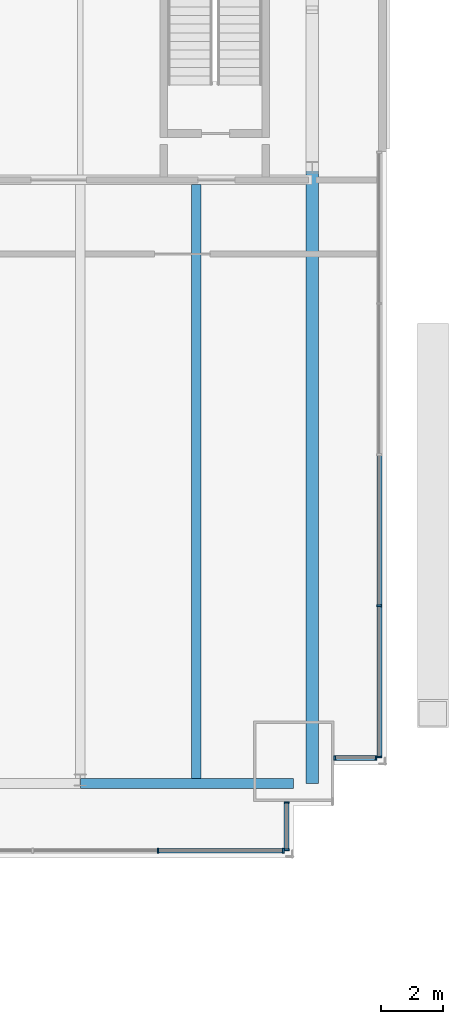
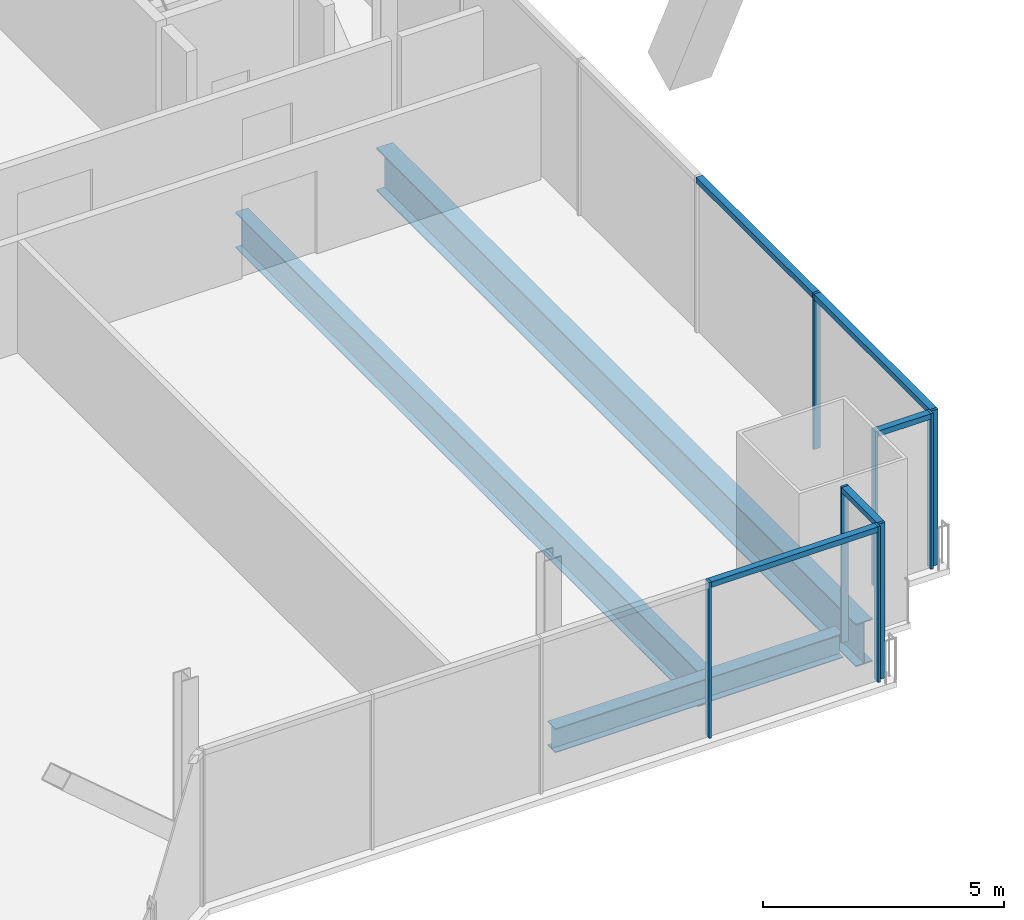
# One storey, part 14 of 24: 13 members, 3 beams, 4 elements without a shape of their own.
"""IFC4 building model written with IfcOpenShell, lengths in metres."""

from ifc_helpers import new_model, si_unit, direction, frame, origin, origin_2d, place, context, subcontext, project, spatial, rectangle, i_section, extrude, material, material_profile, profile_set, type_object, element, aggregate, save


model = new_model("IFC4")

# Units and contexts
model_context = context("Model", 3, precision=1e-05, world=origin(), true_north=direction((0.0, 1.0)))
body_context = subcontext(model_context, "Body", "Model", "MODEL_VIEW")
ifc_project = project(units=[si_unit("LENGTHUNIT", "METRE"), si_unit("AREAUNIT", "SQUARE_METRE"), si_unit("VOLUMEUNIT", "CUBIC_METRE"), si_unit("PLANEANGLEUNIT", "RADIAN"), si_unit("MASSUNIT", "GRAM", prefix="KILO")], contexts=[model_context])

# Site, building, storey
site_placement = place(None, origin())
site = spatial("IfcSite", under=ifc_project, at=site_placement, CompositionType="ELEMENT")
building_placement = place(site_placement, origin())
building = spatial("IfcBuilding", under=site, at=building_placement, Name="Bicima Exchange Tower", CompositionType="ELEMENT")
storey_placement = place(building_placement, frame((0.0, 0.0, 160.89990234375)))
storey = spatial("IfcBuildingStorey", under=building, at=storey_placement, Name="L35", CompositionType="ELEMENT", Elevation=160.89990234375)

# Curtain wall, members
ifc_material_1 = material(Name="Anodised bronze aluminium", Category="aluminium")
curtain_wall_type_1 = type_object("IfcCurtainWallType", Name="End face glass wall", PredefinedType="NOTDEFINED", material=ifc_material_1)
curtain_wall_1_placement = place(storey_placement, origin())
curtain_wall_1 = element("IfcCurtainWall", 1, at=curtain_wall_1_placement, inside=storey, type_object=curtain_wall_type_1, Name="End face glass wall L35 run 19", PredefinedType="NOTDEFINED")
ifc_material_profile_1 = material_profile(ifc_material_1, rectangle(XDim=0.159912109375, YDim=0.06005859375, at=origin_2d()))
ifc_profile_set_1 = profile_set([ifc_material_profile_1], Name="Anodised bronze aluminium")
member_type_1 = type_object("IfcMemberType", Name="End face glass wall mullion 60 x 160", PredefinedType="MULLION", material=ifc_profile_set_1)
member_1_placement = place(storey_placement, frame((35.77001953125, -31.6640625, 0.0), z_axis=(0.0, 0.0, 1.0), x_axis=(-1.0, 0.0, 0.0)))
member_1 = element("IfcMember", 2, at=member_1_placement, type_object=member_type_1, Name="End face glass wall mullion 1", PredefinedType="MULLION", context=body_context, shape_type="SweptSolid", body=[
    extrude(rectangle(XDim=0.159912109375, YDim=0.06005859375, at=origin_2d()), origin(), (0.0, 0.0, 1.0), 3.9501953125),
])
member_2_placement = place(storey_placement, frame((35.77001953125, -26.775390625, 0.0), z_axis=(0.0, 0.0, 1.0), x_axis=(-1.0, 0.0, 0.0)))
member_2 = element("IfcMember", 3, at=member_2_placement, type_object=member_type_1, Name="End face glass wall mullion 2", PredefinedType="MULLION", context=body_context, shape_type="SweptSolid", body=[
    extrude(rectangle(XDim=0.159912109375, YDim=0.06005859375, at=origin_2d()), origin(), (0.0, 0.0, 1.0), 3.9501953125),
])
ifc_material_profile_2 = material_profile(ifc_material_1, rectangle(XDim=0.159912109375, YDim=0.139892578125, at=origin_2d()))
ifc_profile_set_2 = profile_set([ifc_material_profile_2], Name="Anodised bronze aluminium")
member_type_2 = type_object("IfcMemberType", Name="End face glass wall transom 140 x 160", PredefinedType="USERDEFINED", material=ifc_profile_set_2)
member_3_placement = place(storey_placement, frame((35.77001953125, -31.634033203125, 3.880126953125), z_axis=(0.0, 1.0, 0.0), x_axis=(-1.0, 0.0, 0.0)))
member_3 = element("IfcMember", 4, at=member_3_placement, type_object=member_type_2, Name="End face glass wall transom 1.1", ObjectType="TRANSOM", PredefinedType="USERDEFINED", context=body_context, shape_type="SweptSolid", body=[
    extrude(rectangle(XDim=0.159912109375, YDim=0.139892578125, at=origin_2d()), origin(), (0.0, 0.0, 1.0), 4.82861328125),
])
member_4_placement = place(storey_placement, frame((35.77001953125, -26.74560546875, 3.880126953125), z_axis=(0.0, 1.0, 0.0), x_axis=(-1.0, 0.0, 0.0)))
member_4 = element("IfcMember", 5, at=member_4_placement, type_object=member_type_2, Name="End face glass wall transom 2.1", ObjectType="TRANSOM", PredefinedType="USERDEFINED", context=body_context, shape_type="SweptSolid", body=[
    extrude(rectangle(XDim=0.159912109375, YDim=0.139892578125, at=origin_2d()), origin(), (0.0, 0.0, 1.0), 4.82861328125),
])
aggregate(curtain_wall_1, [member_1, member_2, member_3, member_4])

# Beams
ifc_material_2 = material(Name="Steel ASTM A992 Gr 50", Category="steel")
ifc_material_profile_3 = material_profile(ifc_material_2, i_section(OverallWidth=0.4013671875, OverallDepth=1.089599609375, WebThickness=0.01806640625, FlangeThickness=0.031005859375, at=origin_2d()))
ifc_profile_set_3 = profile_set([ifc_material_profile_3], Name="Steel ASTM A992 Gr 50")
beam_type_1 = type_object("IfcBeamType", Name="End girder W44x230", PredefinedType="BEAM", material=ifc_profile_set_3)
beam_1_placement = place(storey_placement, frame((33.60009765625, -12.60009765625, -0.69482421875), z_axis=(0.0, -1.0, 0.0), x_axis=(1.0, 0.0, 0.0)))
element("IfcBeam", 6, at=beam_1_placement, inside=storey, type_object=beam_type_1, Name="End girder", PredefinedType="BEAM", context=body_context, shape_type="SweptSolid", body=[
    extrude(i_section(OverallWidth=0.4013671875, OverallDepth=1.089599609375, WebThickness=0.01806640625, FlangeThickness=0.031005859375, at=origin_2d()), origin(), (0.0, 0.0, 1.0), 19.923828125),
])
ifc_material_profile_4 = material_profile(ifc_material_2, i_section(OverallWidth=0.3046875, OverallDepth=0.904296875, WebThickness=0.01513671875, FlangeThickness=0.02001953125, at=origin_2d()))
ifc_profile_set_4 = profile_set([ifc_material_profile_4], Name="Steel ASTM A992 Gr 50")
beam_type_2 = type_object("IfcBeamType", Name="Floor beam W36x135", PredefinedType="JOIST", material=ifc_profile_set_4)
beam_2_placement = place(storey_placement, frame((29.85009765625, -13.15234375, -0.60205078125), z_axis=(0.0, -1.0, 0.0), x_axis=(1.0, 0.0, 0.0)))
element("IfcBeam", 7, at=beam_2_placement, inside=storey, type_object=beam_type_2, Name="Floor beam", PredefinedType="JOIST", context=body_context, shape_type="SweptSolid", body=[
    extrude(i_section(OverallWidth=0.3046875, OverallDepth=0.904296875, WebThickness=0.01513671875, FlangeThickness=0.02001953125, at=origin_2d()), origin(), (0.0, 0.0, 1.0), 19.208984375),
])
ifc_material_profile_5 = material_profile(ifc_material_2, i_section(OverallWidth=0.3251953125, OverallDepth=0.612060546875, WebThickness=0.0126953125, FlangeThickness=0.01904296875, at=origin_2d()))
ifc_profile_set_5 = profile_set([ifc_material_profile_5], Name="Steel ASTM A992 Gr 50")
beam_type_3 = type_object("IfcBeamType", Name="Front girder W24x104", PredefinedType="BEAM", material=ifc_profile_set_5)
beam_3_placement = place(storey_placement, frame((26.10009765625, -32.52392578125, -0.4560546875), z_axis=(1.0, 0.0, 0.0), x_axis=(0.0, 1.0, 0.0)))
element("IfcBeam", 8, at=beam_3_placement, inside=storey, type_object=beam_type_3, Name="Front girder", PredefinedType="BEAM", context=body_context, shape_type="SweptSolid", body=[
    extrude(i_section(OverallWidth=0.3251953125, OverallDepth=0.612060546875, WebThickness=0.0126953125, FlangeThickness=0.01904296875, at=origin_2d()), origin(), (0.0, 0.0, 1.0), 6.89990234375),
])

# Curtain wall, members
curtain_wall_type_2 = type_object("IfcCurtainWallType", Name="Front glass wall", PredefinedType="NOTDEFINED", material=ifc_material_1)
curtain_wall_2_placement = place(storey_placement, origin())
curtain_wall_2 = element("IfcCurtainWall", 9, at=curtain_wall_2_placement, inside=storey, type_object=curtain_wall_type_2, Name="Front glass wall L35 run 16", PredefinedType="NOTDEFINED")
member_type_3 = type_object("IfcMemberType", Name="Front glass wall mullion 60 x 160", PredefinedType="MULLION", material=ifc_profile_set_1)
member_5_placement = place(storey_placement, frame((28.610595703125, -34.694091796875, 0.0), z_axis=(0.0, 0.0, 1.0), x_axis=(0.0, 1.0, 0.0)))
member_5 = element("IfcMember", 10, at=member_5_placement, type_object=member_type_3, Name="Front glass wall mullion 4", PredefinedType="MULLION", context=body_context, shape_type="SweptSolid", body=[
    extrude(rectangle(XDim=0.159912109375, YDim=0.06005859375, at=origin_2d()), origin(), (0.0, 0.0, 1.0), 3.9501953125),
])
member_6_placement = place(storey_placement, frame((32.659912109375, -34.694091796875, 0.0), z_axis=(0.0, 0.0, 1.0), x_axis=(0.0, 1.0, 0.0)))
member_6 = element("IfcMember", 11, at=member_6_placement, type_object=member_type_3, Name="Front glass wall mullion 5", PredefinedType="MULLION", context=body_context, shape_type="SweptSolid", body=[
    extrude(rectangle(XDim=0.159912109375, YDim=0.06005859375, at=origin_2d()), origin(), (0.0, 0.0, 1.0), 3.9501953125),
])

curtain_wall_3_placement = place(storey_placement, origin())
curtain_wall_3 = element("IfcCurtainWall", 12, at=curtain_wall_3_placement, inside=storey, type_object=curtain_wall_type_2, Name="Front glass wall L35 run 17", PredefinedType="NOTDEFINED")
member_7_placement = place(storey_placement, frame((32.77001953125, -34.6640625, 0.0), z_axis=(0.0, 0.0, 1.0), x_axis=(-1.0, 0.0, 0.0)))
member_7 = element("IfcMember", 13, at=member_7_placement, type_object=member_type_3, Name="Front glass wall mullion 1", PredefinedType="MULLION", context=body_context, shape_type="SweptSolid", body=[
    extrude(rectangle(XDim=0.159912109375, YDim=0.06005859375, at=origin_2d()), origin(), (0.0, 0.0, 1.0), 3.9501953125),
])
member_8_placement = place(storey_placement, frame((32.77001953125, -33.132080078125, 0.0), z_axis=(0.0, 0.0, 1.0), x_axis=(-1.0, 0.0, 0.0)))
member_8 = element("IfcMember", 14, at=member_8_placement, type_object=member_type_3, Name="Front glass wall mullion 2", PredefinedType="MULLION", context=body_context, shape_type="SweptSolid", body=[
    extrude(rectangle(XDim=0.159912109375, YDim=0.06005859375, at=origin_2d()), origin(), (0.0, 0.0, 1.0), 3.9501953125),
])

curtain_wall_4_placement = place(storey_placement, origin())
curtain_wall_4 = element("IfcCurtainWall", 15, at=curtain_wall_4_placement, inside=storey, type_object=curtain_wall_type_2, Name="Front glass wall L35 run 18", PredefinedType="NOTDEFINED")
member_9_placement = place(storey_placement, frame((34.330078125, -31.694091796875, 0.0), z_axis=(0.0, 0.0, 1.0), x_axis=(0.0, 1.0, 0.0)))
member_9 = element("IfcMember", 16, at=member_9_placement, type_object=member_type_3, Name="Front glass wall mullion 1", PredefinedType="MULLION", context=body_context, shape_type="SweptSolid", body=[
    extrude(rectangle(XDim=0.159912109375, YDim=0.06005859375, at=origin_2d()), origin(), (0.0, 0.0, 1.0), 3.9501953125),
])
member_10_placement = place(storey_placement, frame((35.659912109375, -31.694091796875, 0.0), z_axis=(0.0, 0.0, 1.0), x_axis=(0.0, 1.0, 0.0)))
member_10 = element("IfcMember", 17, at=member_10_placement, type_object=member_type_3, Name="Front glass wall mullion 2", PredefinedType="MULLION", context=body_context, shape_type="SweptSolid", body=[
    extrude(rectangle(XDim=0.159912109375, YDim=0.06005859375, at=origin_2d()), origin(), (0.0, 0.0, 1.0), 3.9501953125),
])

# Member
member_type_4 = type_object("IfcMemberType", Name="Front glass wall transom 140 x 160", PredefinedType="USERDEFINED", material=ifc_profile_set_2)
member_11_placement = place(storey_placement, frame((28.640380859375, -34.694091796875, 3.880126953125), z_axis=(1.0, 0.0, 0.0), x_axis=(0.0, 1.0, 0.0)))
member_11 = element("IfcMember", 18, at=member_11_placement, type_object=member_type_4, Name="Front glass wall transom 4.1", ObjectType="TRANSOM", PredefinedType="USERDEFINED", context=body_context, shape_type="SweptSolid", body=[
    extrude(rectangle(XDim=0.159912109375, YDim=0.139892578125, at=origin_2d()), origin(), (0.0, 0.0, 1.0), 3.989501953125),
])

aggregate(curtain_wall_2, [member_5, member_6, member_11])

member_12_placement = place(storey_placement, frame((32.77001953125, -34.634033203125, 3.880126953125), z_axis=(0.0, 1.0, 0.0), x_axis=(-1.0, 0.0, 0.0)))
member_12 = element("IfcMember", 19, at=member_12_placement, type_object=member_type_4, Name="Front glass wall transom 1.1", ObjectType="TRANSOM", PredefinedType="USERDEFINED", context=body_context, shape_type="SweptSolid", body=[
    extrude(rectangle(XDim=0.159912109375, YDim=0.139892578125, at=origin_2d()), origin(), (0.0, 0.0, 1.0), 1.471923828125),
])

aggregate(curtain_wall_3, [member_7, member_8, member_12])

member_13_placement = place(storey_placement, frame((34.360107421875, -31.694091796875, 3.880126953125), z_axis=(1.0, 0.0, 0.0), x_axis=(0.0, 1.0, 0.0)))
member_13 = element("IfcMember", 20, at=member_13_placement, type_object=member_type_4, Name="Front glass wall transom 1.1", ObjectType="TRANSOM", PredefinedType="USERDEFINED", context=body_context, shape_type="SweptSolid", body=[
    extrude(rectangle(XDim=0.159912109375, YDim=0.139892578125, at=origin_2d()), origin(), (0.0, 0.0, 1.0), 1.269775390625),
])

aggregate(curtain_wall_4, [member_9, member_10, member_13])

save(model, "model.ifc")
